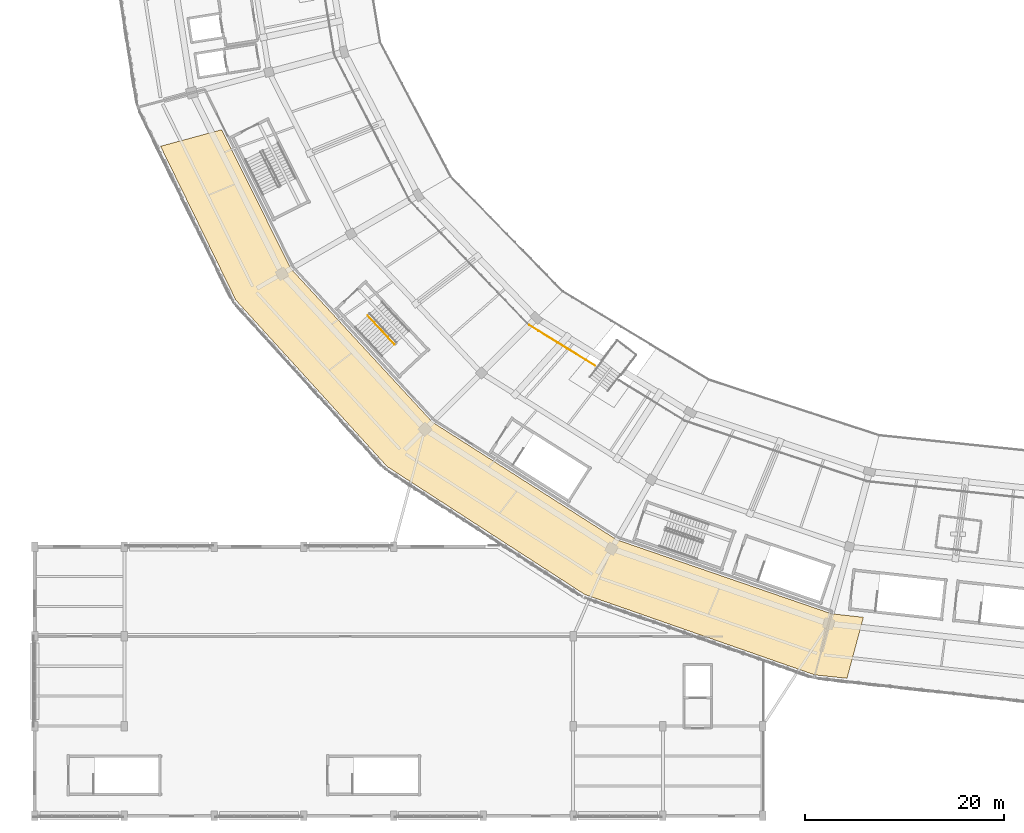
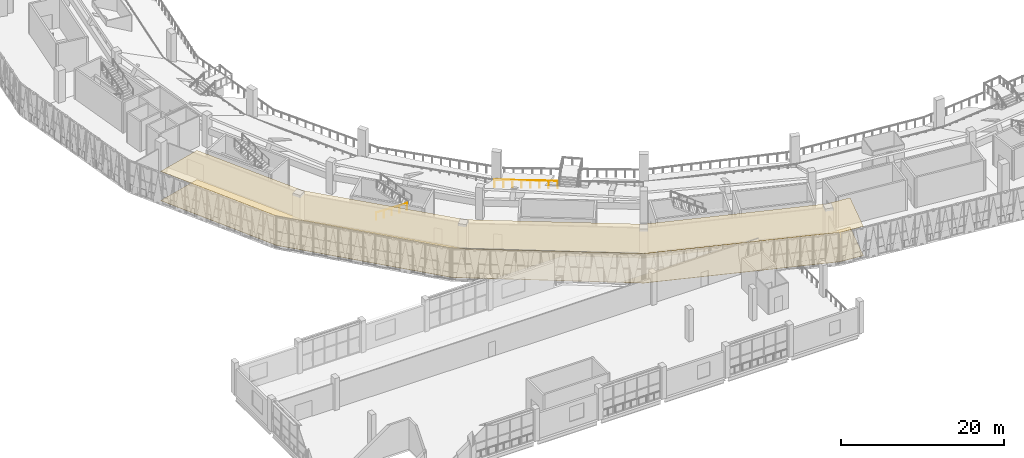
# One storey, part 113 of 152: 2 coverings, 2 railings.
"""IFC4 building model written with IfcOpenShell, lengths in metres."""

from ifc_helpers import new_model, si_unit, direction, frame, origin, origin_2d, place, context, subcontext, project, spatial, polyline, circle, outline, extrude, material, layer, layer_set, type_object, element, save


model = new_model("IFC4")

# Units and contexts
model_context = context("Model", 3, precision=1e-05, world=origin(), true_north=direction((0.0, 1.0)))
body_context = subcontext(model_context, "Body", "Model", "MODEL_VIEW")
ifc_project = project(units=[si_unit("LENGTHUNIT", "METRE"), si_unit("AREAUNIT", "SQUARE_METRE"), si_unit("VOLUMEUNIT", "CUBIC_METRE"), si_unit("PLANEANGLEUNIT", "RADIAN"), si_unit("MASSUNIT", "GRAM", prefix="KILO")], contexts=[model_context])

# Site, building, storey
site_placement = place(None, origin())
site = spatial("IfcSite", under=ifc_project, at=site_placement, CompositionType="ELEMENT")
building_placement = place(site_placement, origin())
building = spatial("IfcBuilding", under=site, at=building_placement, Name="Zevraka Park Crest Stadium", CompositionType="ELEMENT")
storey_placement = place(building_placement, frame((0.0, 0.0, 15.0)))
storey = spatial("IfcBuildingStorey", under=building, at=storey_placement, Name="L03", CompositionType="ELEMENT", Elevation=15.0)

# Coverings
ifc_material_1 = material(Name="Perforated acoustic mineral-fibre suspended ceiling", Category="other")
ifc_layer_1 = layer(ifc_material_1, 0.02490234375)
ifc_layer_set_1 = layer_set([ifc_layer_1], Name="Perforated acoustic mineral-fibre suspended ceiling")
covering_type_1 = type_object("IfcCoveringType", Name="CLG01", PredefinedType="CEILING", material=ifc_layer_set_1)
covering_1_placement = place(storey_placement, frame((0.0, 0.0, 4.39990234375)))
element("IfcCovering", 1, at=covering_1_placement, inside=storey, type_object=covering_type_1, Name="Acoustic Ceiling Sensory Inclusion Viewing Lounge L03-040", PredefinedType="CEILING", context=body_context, shape_type="SweptSolid", body=[
    extrude(outline(polyline([(34.693115234375, 54.881103515625), (34.701904296875, 54.864013671875), (34.712890625, 54.84912109375), (34.72509765625, 54.833984375), (48.8779296875, 39.49609375), (48.889892578125, 39.48388671875), (48.903076171875, 39.472900390625), (48.9169921875, 39.462890625), (67.361083984375, 27.694091796875), (67.382080078125, 27.68310546875), (67.404052734375, 27.674072265625), (88.884033203125, 20.27490234375), (88.905029296875, 20.26904296875), (88.927001953125, 20.264892578125), (92.114990234375, 19.909912109375), (90.467041015625, 13.7919921875), (87.23291015625, 14.134033203125), (64.1689453125, 22.196044921875), (44.366943359375, 35.01611328125), (29.180908203125, 51.714111328125), (21.6298828125, 67.14697265625), (27.7529296875, 68.805908203125), (34.693115234375, 54.881103515625)])), origin(), (0.0, 0.0, 1.0), 0.025146484375),
])
ifc_material_2 = material(Name="Honed terrazzo and slip-resistant sports flooring", Category="other")
ifc_layer_2 = layer(ifc_material_2, 0.0400390625)
ifc_layer_set_2 = layer_set([ifc_layer_2], Name="Honed terrazzo and slip-resistant sports flooring")
covering_type_2 = type_object("IfcCoveringType", Name="FLR01", PredefinedType="FLOORING", material=ifc_layer_set_2)
covering_2_placement = place(storey_placement, origin())
element("IfcCovering", 2, at=covering_2_placement, inside=storey, type_object=covering_type_2, Name="Terrazzo Floor Finish Sensory Inclusion Viewing Lounge L03-040", PredefinedType="FLOORING", context=body_context, shape_type="SweptSolid", body=[
    extrude(outline(polyline([(34.693115234375, 54.881103515625), (34.701904296875, 54.864013671875), (34.712890625, 54.84912109375), (34.72509765625, 54.833984375), (48.8779296875, 39.49609375), (48.889892578125, 39.48388671875), (48.903076171875, 39.472900390625), (48.9169921875, 39.462890625), (67.361083984375, 27.694091796875), (67.382080078125, 27.68310546875), (67.404052734375, 27.674072265625), (88.884033203125, 20.27490234375), (88.905029296875, 20.26904296875), (88.927001953125, 20.264892578125), (92.114990234375, 19.909912109375), (90.467041015625, 13.7919921875), (87.23291015625, 14.134033203125), (64.1689453125, 22.196044921875), (44.366943359375, 35.01611328125), (29.180908203125, 51.714111328125), (21.6298828125, 67.14697265625), (27.7529296875, 68.805908203125), (34.693115234375, 54.881103515625)])), origin(), (0.0, 0.0, 1.0), 0.0400390625),
])

# Railings
ifc_material_3 = material(Name="Galvanised and bronze-finished steel balustrade", Category="steel")
railing_type_1 = type_object("IfcRailingType", Name="GR01", PredefinedType="GUARDRAIL", material=ifc_material_3)
railing_1_placement = place(storey_placement, frame((58.59912109375, 49.20703125, 0.0)))
element("IfcRailing", 3, at=railing_1_placement, inside=storey, type_object=railing_type_1, Name="Deck Edge Protection Guardrail GR01 L03-83", PredefinedType="GUARDRAIL", context=body_context, shape_type="SweptSolid", body=[
    extrude(circle(Radius=0.02392578125, at=origin_2d()), frame((0.0, 0.0, 1.076171875), z_axis=(0.851680960091, -0.52406062838, 0.0), x_axis=(0.52406062838, 0.851680960091, 0.0)), (0.0, 0.0, 1.0), 7.77392578125),
    extrude(circle(Radius=0.02099609375, at=origin_2d()), origin(), (0.0, 0.0, 1.0), 1.052001953125),
    extrude(circle(Radius=0.02099609375, at=origin_2d()), frame((0.94580078125, -0.58203125, 0.0)), (0.0, 0.0, 1.0), 1.052001953125),
    extrude(circle(Radius=0.02099609375, at=origin_2d()), frame((1.8916015625, -1.1640625, 0.0)), (0.0, 0.0, 1.0), 1.052001953125),
    extrude(circle(Radius=0.02099609375, at=origin_2d()), frame((2.83740234375, -1.74609375, 0.0)), (0.0, 0.0, 1.0), 1.052001953125),
    extrude(circle(Radius=0.02099609375, at=origin_2d()), frame((3.783447265625, -2.327880859375, 0.0)), (0.0, 0.0, 1.0), 1.052001953125),
    extrude(circle(Radius=0.02099609375, at=origin_2d()), frame((4.729248046875, -2.909912109375, 0.0)), (0.0, 0.0, 1.0), 1.052001953125),
    extrude(circle(Radius=0.02099609375, at=origin_2d()), frame((5.675048828125, -3.491943359375, 0.0)), (0.0, 0.0, 1.0), 1.052001953125),
    extrude(circle(Radius=0.02099609375, at=origin_2d()), frame((6.620849609375, -4.073974609375, 0.0)), (0.0, 0.0, 1.0), 1.052001953125),
])
ifc_material_4 = material(Name="Powder-coated tubular steel stairwell guard", Category="steel")
railing_type_2 = type_object("IfcRailingType", Name="GR03", PredefinedType="GUARDRAIL", material=ifc_material_4)
railing_2_placement = place(storey_placement, frame((42.410400390625, 50.18212890625, 0.17138671875)))
element("IfcRailing", 4, at=railing_2_placement, inside=storey, type_object=railing_type_2, Name="L03 ST15 stair guard 1", PredefinedType="GUARDRAIL", context=body_context, shape_type="SweptSolid", body=[
    extrude(circle(Radius=0.02392578125, at=origin_2d()), frame((0.0, 0.0, 1.076171875), z_axis=(0.593016024023, -0.638962957094, 0.489957482557), x_axis=(0.732968909084, 0.680262139412, 0.0)), (0.0, 0.0, 1.0), 4.54833984375),
    extrude(circle(Radius=0.02099609375, at=origin_2d()), origin(), (0.0, 0.0, 1.0), 1.052001953125),
    extrude(circle(Radius=0.02099609375, at=origin_2d()), frame((0.67431640625, -0.7265625, 0.55712890625)), (0.0, 0.0, 1.0), 1.052001953125),
    extrude(circle(Radius=0.02099609375, at=origin_2d()), frame((1.3486328125, -1.453125, 1.1142578125)), (0.0, 0.0, 1.0), 1.052001953125),
    extrude(circle(Radius=0.02099609375, at=origin_2d()), frame((2.02294921875, -2.1796875, 1.67138671875)), (0.0, 0.0, 1.0), 1.052001953125),
    extrude(circle(Radius=0.02099609375, at=origin_2d()), frame((2.697265625, -2.90625, 2.228515625)), (0.0, 0.0, 1.0), 1.052001953125),
])

save(model, "model.ifc")
